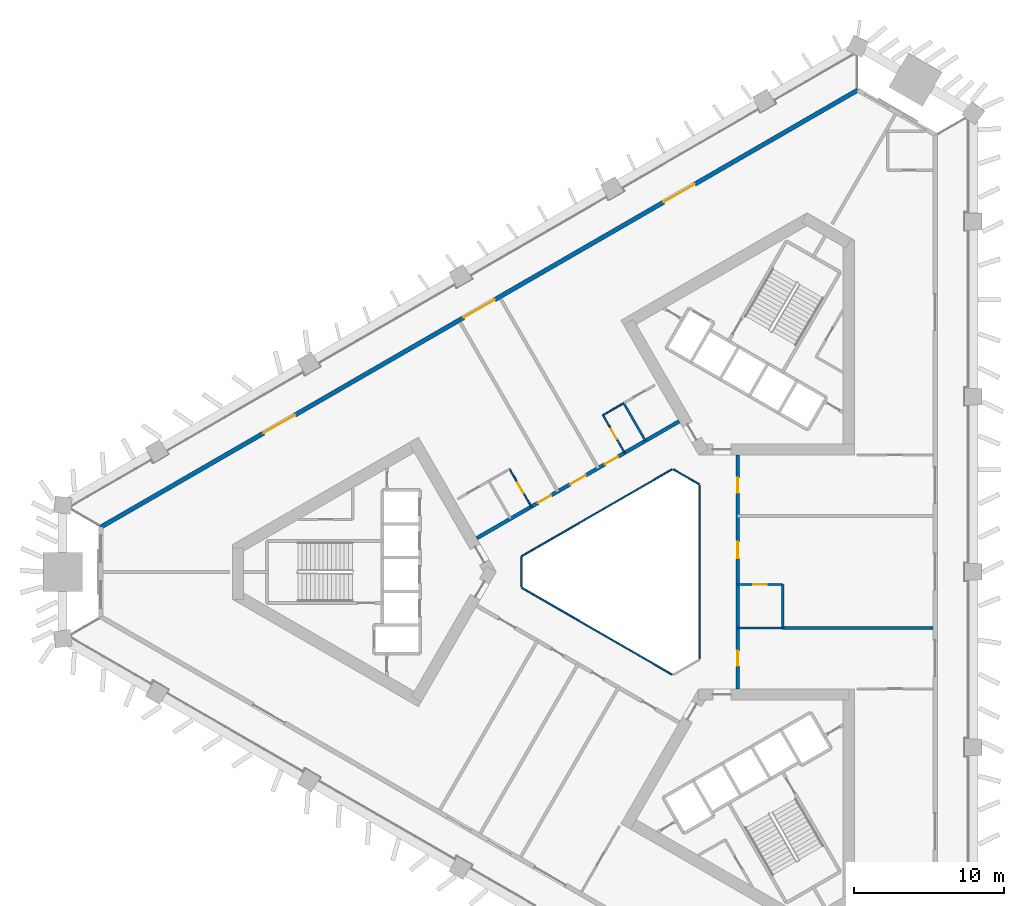
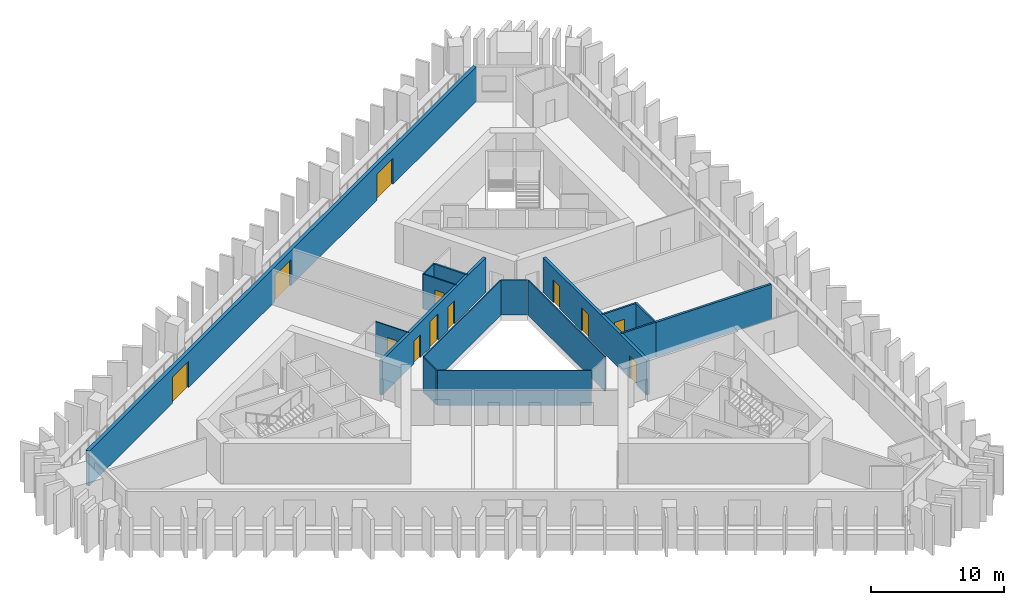
# One storey, part 5 of 11: 16 walls, 12 doors, 12 openings.
"""IFC4 building model written with IfcOpenShell, lengths in metres."""

from ifc_helpers import new_model, si_unit, direction, frame, frame_2d, origin, place, context, subcontext, project, spatial, rectangle, extrude, material, layer, layer_set, type_object, element, fill, save


model = new_model("IFC4")

# Units and contexts
model_context = context("Model", 3, precision=1e-05, world=origin(), true_north=direction((0.0, 1.0)))
body_context = subcontext(model_context, "Body", "Model", "MODEL_VIEW")
ifc_project = project(units=[si_unit("LENGTHUNIT", "METRE"), si_unit("AREAUNIT", "SQUARE_METRE"), si_unit("VOLUMEUNIT", "CUBIC_METRE"), si_unit("PLANEANGLEUNIT", "RADIAN"), si_unit("MASSUNIT", "GRAM", prefix="KILO")], contexts=[model_context])

# Site, building, storey
site_placement = place(None, origin())
site = spatial("IfcSite", under=ifc_project, at=site_placement, CompositionType="ELEMENT")
building_placement = place(site_placement, origin())
building = spatial("IfcBuilding", under=site, at=building_placement, Name="Jabali Bay Hotel Tower and Convention Centre", CompositionType="ELEMENT")
storey_placement = place(building_placement, frame((0.0, 0.0, 90.60009765625)))
storey = spatial("IfcBuildingStorey", under=building, at=storey_placement, Name="L21", CompositionType="ELEMENT", Elevation=90.60009765625)

# Walls
ifc_material_1 = material(Name="Fire-resistant glazing", Category="glass")
ifc_layer_1 = layer(ifc_material_1, 0.10009765625)
ifc_layer_set_1 = layer_set([ifc_layer_1], Name="Fire-resistant glazing")
wall_type_1 = type_object("IfcWallType", Name="Atrium glazed screen 100", PredefinedType="PARTITIONING", material=ifc_layer_set_1)
wall_1_placement = place(storey_placement, frame((79.56005859375, 74.205810546875, 0.0), z_axis=(0.0, 0.0, 1.0), x_axis=(0.0, 1.0, 0.0)))
element("IfcWall", 1, at=wall_1_placement, inside=storey, type_object=wall_type_1, Name="Atrium screen 1 L21", PredefinedType="PARTITIONING", context=body_context, shape_type="SweptSolid", body=[
    extrude(rectangle(XDim=11.58837890625, YDim=0.10009765625, at=frame_2d((5.794189453125, 0.0))), origin(), (0.0, 0.0, 1.0), 3.199951171875),
])
wall_2_placement = place(storey_placement, frame((79.530029296875, 85.84619140625, 0.0), z_axis=(0.0, 0.0, 1.0), x_axis=(-0.866041268327, 0.499972520799, 0.0)))
element("IfcWall", 2, at=wall_2_placement, inside=storey, type_object=wall_type_1, Name="Atrium screen 2 L21", PredefinedType="PARTITIONING", context=body_context, shape_type="SweptSolid", body=[
    extrude(rectangle(XDim=2.0, YDim=0.10009765625, at=frame_2d((1.0, 0.0))), origin(), (0.0, 0.0, 1.0), 3.199951171875),
])
wall_3_placement = place(storey_placement, frame((77.738037109375, 86.84619140625, 0.0), z_axis=(0.0, 0.0, 1.0), x_axis=(-0.866026658274, -0.499997827154, 0.0)))
element("IfcWall", 3, at=wall_3_placement, inside=storey, type_object=wall_type_1, Name="Atrium screen 3 L21", PredefinedType="PARTITIONING", context=body_context, shape_type="SweptSolid", body=[
    extrude(rectangle(XDim=11.58837890625, YDim=0.10009765625, at=frame_2d((5.794189453125, 0.0))), origin(), (0.0, 0.0, 1.0), 3.199951171875),
])
wall_4_placement = place(storey_placement, frame((67.672119140625, 81.0, 0.0), z_axis=(0.0, 0.0, 1.0), x_axis=(0.0, -1.0, 0.0)))
element("IfcWall", 4, at=wall_4_placement, inside=storey, type_object=wall_type_1, Name="Atrium screen 4 L21", PredefinedType="PARTITIONING", context=body_context, shape_type="SweptSolid", body=[
    extrude(rectangle(XDim=2.0, YDim=0.10009765625, at=frame_2d((1.0, 0.0))), origin(), (0.0, 0.0, 1.0), 3.199951171875),
])
wall_5_placement = place(storey_placement, frame((67.7021484375, 78.947998046875, 0.0), z_axis=(0.0, 0.0, 1.0), x_axis=(0.866026658274, -0.499997827154, 0.0)))
element("IfcWall", 5, at=wall_5_placement, inside=storey, type_object=wall_type_1, Name="Atrium screen 5 L21", PredefinedType="PARTITIONING", context=body_context, shape_type="SweptSolid", body=[
    extrude(rectangle(XDim=11.58837890625, YDim=0.10009765625, at=frame_2d((5.794189453125, 0.0))), origin(), (0.0, 0.0, 1.0), 3.199951171875),
])

# Wall, openings, doors
ifc_material_2 = material(Name="Concrete C60", Category="concrete")
ifc_layer_2 = layer(ifc_material_2, 0.25)
ifc_layer_set_2 = layer_set([ifc_layer_2], Name="Concrete C60")
wall_type_2 = type_object("IfcWallType", Name="Corridor wall 250", PredefinedType="SHEAR", material=ifc_layer_set_2)
wall_6_placement = place(storey_placement, frame((82.10009765625, 72.205810546875, 0.0), z_axis=(0.0, 0.0, 1.0), x_axis=(0.0, 1.0, 0.0)))
wall_6 = element("IfcWall", 6, at=wall_6_placement, inside=storey, type_object=wall_type_2, Name="Corridor wall 1 L21", PredefinedType="SHEAR", context=body_context, shape_type="SweptSolid", body=[
    extrude(rectangle(XDim=15.58837890625, YDim=0.25, at=frame_2d((7.794189453125, 0.0))), origin(), (0.0, 0.0, 1.0), 3.199951171875),
])
opening_1_placement = place(wall_6_placement, frame((1.526611328125, 0.0, 0.0)))
opening_1 = element("IfcOpeningElement", 7, at=opening_1_placement, cuts=wall_6, Name="Opening 2101", PredefinedType="OPENING", context=body_context, shape_type="SweptSolid", body=[
    extrude(rectangle(XDim=1.0, YDim=2.10009765625, at=frame_2d((0.5, 1.050048828125))), frame((0.0, 0.135498046875, 0.0), z_axis=(0.0, -1.0, 0.0), x_axis=(1.0, 0.0, 0.0)), (0.0, 0.0, 1.0), 0.27099609375),
])
opening_2_placement = place(wall_6_placement, frame((8.694091796875, 0.0, 0.0)))
opening_2 = element("IfcOpeningElement", 8, at=opening_2_placement, cuts=wall_6, Name="Opening 2105", PredefinedType="OPENING", context=body_context, shape_type="SweptSolid", body=[
    extrude(rectangle(XDim=1.10009765625, YDim=2.10009765625, at=frame_2d((0.550048828125, 1.050048828125))), frame((0.0, 0.135498046875, 0.0), z_axis=(0.0, -1.0, 0.0), x_axis=(1.0, 0.0, 0.0)), (0.0, 0.0, 1.0), 0.27099609375),
])
opening_3_placement = place(wall_6_placement, frame((13.06201171875, 0.0, 0.0)))
opening_3 = element("IfcOpeningElement", 9, at=opening_3_placement, cuts=wall_6, Name="Opening 2106", PredefinedType="OPENING", context=body_context, shape_type="SweptSolid", body=[
    extrude(rectangle(XDim=1.0, YDim=2.10009765625, at=frame_2d((0.5, 1.050048828125))), frame((0.0, 0.135498046875, 0.0), z_axis=(0.0, -1.0, 0.0), x_axis=(1.0, 0.0, 0.0)), (0.0, 0.0, 1.0), 0.27099609375),
])
ifc_material_3 = material(Name="Timber", Category="wood")
door_type_1 = type_object("IfcDoorType", Name="Accessible guest room door 1100 x 2100", OperationType="NOTDEFINED", PredefinedType="NOTDEFINED", material=ifc_material_3)
door_1_placement = place(opening_2_placement, origin())
door_1 = element("IfcDoor", 10, at=door_1_placement, inside=storey, type_object=door_type_1, Name="Door 2105", OperationType="SINGLE_SWING_RIGHT", OverallHeight=2.10009765625, OverallWidth=1.10009765625, PredefinedType="NOTDEFINED", context=body_context, shape_type="SweptSolid", body=[
    extrude(rectangle(XDim=1.10009765625, YDim=2.10009765625, at=frame_2d((0.550048828125, 1.050048828125))), frame((0.0, 0.02490234375, 0.0), z_axis=(0.0, -1.0, 0.0), x_axis=(1.0, 0.0, 0.0)), (0.0, 0.0, 1.0), 0.050048828125),
])
fill(opening_2, door_1)
door_type_2 = type_object("IfcDoorType", Name="Guest room door 1000 x 2100", OperationType="NOTDEFINED", PredefinedType="NOTDEFINED", material=ifc_material_3)
door_2_placement = place(opening_1_placement, origin())
door_2 = element("IfcDoor", 11, at=door_2_placement, inside=storey, type_object=door_type_2, Name="Door 2101", OperationType="SINGLE_SWING_LEFT", OverallHeight=2.10009765625, OverallWidth=1.0, PredefinedType="NOTDEFINED", context=body_context, shape_type="SweptSolid", body=[
    extrude(rectangle(XDim=1.0, YDim=2.10009765625, at=frame_2d((0.5, 1.050048828125))), frame((0.0, 0.02490234375, 0.0), z_axis=(0.0, -1.0, 0.0), x_axis=(1.0, 0.0, 0.0)), (0.0, 0.0, 1.0), 0.050048828125),
])
fill(opening_1, door_2)
door_3_placement = place(opening_3_placement, origin())
door_3 = element("IfcDoor", 12, at=door_3_placement, inside=storey, type_object=door_type_2, Name="Door 2106", OperationType="SINGLE_SWING_RIGHT", OverallHeight=2.10009765625, OverallWidth=1.0, PredefinedType="NOTDEFINED", context=body_context, shape_type="SweptSolid", body=[
    extrude(rectangle(XDim=1.0, YDim=2.10009765625, at=frame_2d((0.5, 1.050048828125))), frame((0.0, 0.02490234375, 0.0), z_axis=(0.0, -1.0, 0.0), x_axis=(1.0, 0.0, 0.0)), (0.0, 0.0, 1.0), 0.050048828125),
])
fill(opening_3, door_3)

wall_7_placement = place(storey_placement, frame((78.199951171875, 90.0458984375, 0.0), z_axis=(0.0, 0.0, 1.0), x_axis=(-0.866026492143, -0.499998114903, 0.0)))
wall_7 = element("IfcWall", 13, at=wall_7_placement, inside=storey, type_object=wall_type_2, Name="Corridor wall 2 L21", PredefinedType="SHEAR", context=body_context, shape_type="SweptSolid", body=[
    extrude(rectangle(XDim=15.58837890625, YDim=0.25, at=frame_2d((7.794189453125, 0.0))), origin(), (0.0, 0.0, 1.0), 3.199951171875),
])
opening_4_placement = place(wall_7_placement, frame((4.7177734375, 0.0, 0.0)))
opening_4 = element("IfcOpeningElement", 14, at=opening_4_placement, cuts=wall_7, Name="Opening 2111", PredefinedType="OPENING", context=body_context, shape_type="SweptSolid", body=[
    extrude(rectangle(XDim=1.0, YDim=2.10009765625, at=frame_2d((0.5, 1.050048828125))), frame((0.0, 0.135498046875, 0.0), z_axis=(0.0, -1.0, 0.0), x_axis=(1.0, 0.0, 0.0)), (0.0, 0.0, 1.0), 0.27099609375),
])
opening_5_placement = place(wall_7_placement, frame((7.194091796875, 0.0, 0.0)))
opening_5 = element("IfcOpeningElement", 15, at=opening_5_placement, cuts=wall_7, Name="Opening 2112", PredefinedType="OPENING", context=body_context, shape_type="SweptSolid", body=[
    extrude(rectangle(XDim=1.199951171875, YDim=2.39990234375, at=frame_2d((0.60009765625, 1.199951171875))), frame((0.0, 0.135498046875, 0.0), z_axis=(0.0, -1.0, 0.0), x_axis=(1.0, 0.0, 0.0)), (0.0, 0.0, 1.0), 0.27099609375),
])
opening_6_placement = place(wall_7_placement, frame((9.870849609375, 0.0, 0.0)))
opening_6 = element("IfcOpeningElement", 16, at=opening_6_placement, cuts=wall_7, Name="Opening 2115", PredefinedType="OPENING", context=body_context, shape_type="SweptSolid", body=[
    extrude(rectangle(XDim=1.0, YDim=2.10009765625, at=frame_2d((0.5, 1.050048828125))), frame((0.0, 0.135498046875, 0.0), z_axis=(0.0, -1.0, 0.0), x_axis=(1.0, 0.0, 0.0)), (0.0, 0.0, 1.0), 0.27099609375),
])
door_4_placement = place(opening_4_placement, origin())
door_4 = element("IfcDoor", 17, at=door_4_placement, inside=storey, type_object=door_type_2, Name="Door 2111", OperationType="SINGLE_SWING_LEFT", OverallHeight=2.10009765625, OverallWidth=1.0, PredefinedType="NOTDEFINED", context=body_context, shape_type="SweptSolid", body=[
    extrude(rectangle(XDim=1.0, YDim=2.10009765625, at=frame_2d((0.5, 1.050048828125))), frame((0.0, 0.02490234375, 0.0), z_axis=(0.0, -1.0, 0.0), x_axis=(1.0, 0.0, 0.0)), (0.0, 0.0, 1.0), 0.050048828125),
])
fill(opening_4, door_4)
door_5_placement = place(opening_6_placement, origin())
door_5 = element("IfcDoor", 18, at=door_5_placement, inside=storey, type_object=door_type_2, Name="Door 2115", OperationType="SINGLE_SWING_RIGHT", OverallHeight=2.10009765625, OverallWidth=1.0, PredefinedType="NOTDEFINED", context=body_context, shape_type="SweptSolid", body=[
    extrude(rectangle(XDim=1.0, YDim=2.10009765625, at=frame_2d((0.5, 1.050048828125))), frame((0.0, 0.02490234375, 0.0), z_axis=(0.0, -1.0, 0.0), x_axis=(1.0, 0.0, 0.0)), (0.0, 0.0, 1.0), 0.050048828125),
])
fill(opening_6, door_5)
door_type_3 = type_object("IfcDoorType", Name="Public room door 1200 x 2400", OperationType="NOTDEFINED", PredefinedType="NOTDEFINED", material=ifc_material_3)
door_6_placement = place(opening_5_placement, origin())
door_6 = element("IfcDoor", 19, at=door_6_placement, inside=storey, type_object=door_type_3, Name="Door 2112", OperationType="SINGLE_SWING_RIGHT", OverallHeight=2.39990234375, OverallWidth=1.199951171875, PredefinedType="NOTDEFINED", context=body_context, shape_type="SweptSolid", body=[
    extrude(rectangle(XDim=1.199951171875, YDim=2.39990234375, at=frame_2d((0.60009765625, 1.199951171875))), frame((0.0, 0.02490234375, 0.0), z_axis=(0.0, -1.0, 0.0), x_axis=(1.0, 0.0, 0.0)), (0.0, 0.0, 1.0), 0.050048828125),
])
fill(opening_5, door_6)

ifc_material_4 = material(Name="Concrete C40", Category="concrete")
ifc_layer_3 = layer(ifc_material_4, 0.300048828125)
ifc_layer_set_3 = layer_set([ifc_layer_3], Name="Concrete C40")
wall_type_3 = type_object("IfcWallType", Name="External wall 300", PredefinedType="SOLIDWALL", material=ifc_layer_set_3)
wall_8_placement = place(storey_placement, frame((39.614013671875, 82.983154296875, 0.0), z_axis=(0.0, 0.0, 1.0), x_axis=(0.866024236478, 0.500002021829, 0.0)))
wall_8 = element("IfcWall", 20, at=wall_8_placement, inside=storey, type_object=wall_type_3, Name="External wall north-west face L21", PredefinedType="SOLIDWALL", context=body_context, shape_type="SweptSolid", body=[
    extrude(rectangle(XDim=58.307373046875, YDim=0.300048828125, at=frame_2d((29.15380859375, 0.0))), origin(), (0.0, 0.0, 1.0), 3.199951171875),
])
opening_7_placement = place(wall_8_placement, frame((43.353271484375, 0.0, 0.0)))
opening_7 = element("IfcOpeningElement", 21, at=opening_7_placement, cuts=wall_8, Name="Opening SD1", PredefinedType="OPENING", context=body_context, shape_type="SweptSolid", body=[
    extrude(rectangle(XDim=2.39990234375, YDim=2.39990234375, at=frame_2d((1.199951171875, 1.199951171875))), frame((0.0, 0.16064453125, 0.0), z_axis=(0.0, -1.0, 0.0), x_axis=(1.0, 0.0, 0.0)), (0.0, 0.0, 1.0), 0.321044921875),
])
opening_8_placement = place(wall_8_placement, frame((12.55419921875, 0.0, 0.0)))
opening_8 = element("IfcOpeningElement", 22, at=opening_8_placement, cuts=wall_8, Name="Opening SD1", PredefinedType="OPENING", context=body_context, shape_type="SweptSolid", body=[
    extrude(rectangle(XDim=2.39990234375, YDim=2.39990234375, at=frame_2d((1.199951171875, 1.199951171875))), frame((0.0, 0.16064453125, 0.0), z_axis=(0.0, -1.0, 0.0), x_axis=(1.0, 0.0, 0.0)), (0.0, 0.0, 1.0), 0.321044921875),
])
opening_9_placement = place(wall_8_placement, frame((27.95361328125, 0.0, 0.0)))
opening_9 = element("IfcOpeningElement", 23, at=opening_9_placement, cuts=wall_8, Name="Opening SD1", PredefinedType="OPENING", context=body_context, shape_type="SweptSolid", body=[
    extrude(rectangle(XDim=2.39990234375, YDim=2.39990234375, at=frame_2d((1.199951171875, 1.199951171875))), frame((0.0, 0.16064453125, 0.0), z_axis=(0.0, -1.0, 0.0), x_axis=(1.0, 0.0, 0.0)), (0.0, 0.0, 1.0), 0.321044921875),
])
ifc_material_5 = material(Name="Glass", Category="glass")
door_type_4 = type_object("IfcDoorType", Name="Loggia sliding door 2400 x 2400", OperationType="NOTDEFINED", PredefinedType="NOTDEFINED", material=ifc_material_5)
door_7_placement = place(opening_7_placement, origin())
door_7 = element("IfcDoor", 24, at=door_7_placement, inside=storey, type_object=door_type_4, Name="Loggia sliding door 2104", OperationType="SLIDING_TO_LEFT", OverallHeight=2.39990234375, OverallWidth=2.39990234375, PredefinedType="NOTDEFINED", context=body_context, shape_type="SweptSolid", body=[
    extrude(rectangle(XDim=2.39990234375, YDim=2.39990234375, at=frame_2d((1.199951171875, 1.199951171875))), frame((0.0, 0.02490234375, 0.0), z_axis=(0.0, -1.0, 0.0), x_axis=(1.0, 0.0, 0.0)), (0.0, 0.0, 1.0), 0.050048828125),
])
fill(opening_7, door_7)
door_8_placement = place(opening_8_placement, origin())
door_8 = element("IfcDoor", 25, at=door_8_placement, inside=storey, type_object=door_type_4, Name="Loggia sliding door 2105", OperationType="SLIDING_TO_RIGHT", OverallHeight=2.39990234375, OverallWidth=2.39990234375, PredefinedType="NOTDEFINED", context=body_context, shape_type="SweptSolid", body=[
    extrude(rectangle(XDim=2.39990234375, YDim=2.39990234375, at=frame_2d((1.199951171875, 1.199951171875))), frame((0.0, 0.02490234375, 0.0), z_axis=(0.0, -1.0, 0.0), x_axis=(1.0, 0.0, 0.0)), (0.0, 0.0, 1.0), 0.050048828125),
])
fill(opening_8, door_8)
door_9_placement = place(opening_9_placement, origin())
door_9 = element("IfcDoor", 26, at=door_9_placement, inside=storey, type_object=door_type_4, Name="Loggia sliding door", OperationType="SLIDING_TO_LEFT", OverallHeight=2.39990234375, OverallWidth=2.39990234375, PredefinedType="NOTDEFINED", context=body_context, shape_type="SweptSolid", body=[
    extrude(rectangle(XDim=2.39990234375, YDim=2.39990234375, at=frame_2d((1.199951171875, 1.199951171875))), frame((0.0, 0.02490234375, 0.0), z_axis=(0.0, -1.0, 0.0), x_axis=(1.0, 0.0, 0.0)), (0.0, 0.0, 1.0), 0.050048828125),
])
fill(opening_9, door_9)

# Wall, opening, door
ifc_material_6 = material(Name="Plasterboard on steel stud", Category="steel")
ifc_layer_4 = layer(ifc_material_6, 0.10009765625)
ifc_layer_set_4 = layer_set([ifc_layer_4], Name="Plasterboard on steel stud")
wall_type_4 = type_object("IfcWallType", Name="Partition 100 unit", PredefinedType="PARTITIONING", material=ifc_layer_set_4)
wall_9_placement = place(storey_placement, frame((74.562744140625, 87.94580078125, 0.0), z_axis=(0.0, 0.0, 1.0), x_axis=(-0.499987231761, 0.866032775405, 0.0)))
wall_9 = element("IfcWall", 27, at=wall_9_placement, inside=storey, type_object=wall_type_4, Name="Partition P02 L21 017", PredefinedType="PARTITIONING", context=body_context, shape_type="SweptSolid", body=[
    extrude(rectangle(XDim=2.89990234375, YDim=0.10009765625, at=frame_2d((1.449951171875, 0.0))), origin(), (0.0, 0.0, 1.0), 3.199951171875),
])
opening_10_placement = place(wall_9_placement, frame((1.050048828125, 0.0, 0.0)))
opening_10 = element("IfcOpeningElement", 28, at=opening_10_placement, cuts=wall_9, Name="Opening 2110", PredefinedType="OPENING", context=body_context, shape_type="SweptSolid", body=[
    extrude(rectangle(XDim=0.800048828125, YDim=2.10009765625, at=frame_2d((0.39990234375, 1.050048828125))), frame((0.0, 0.060546875, 0.0), z_axis=(0.0, -1.0, 0.0), x_axis=(1.0, 0.0, 0.0)), (0.0, 0.0, 1.0), 0.12109375),
])
door_type_5 = type_object("IfcDoorType", Name="Dressing room door 800 x 2100", OperationType="NOTDEFINED", PredefinedType="NOTDEFINED", material=ifc_material_3)
door_10_placement = place(opening_10_placement, origin())
door_10 = element("IfcDoor", 29, at=door_10_placement, inside=storey, type_object=door_type_5, Name="Door 2110", OperationType="SINGLE_SWING_RIGHT", OverallHeight=2.10009765625, OverallWidth=0.800048828125, PredefinedType="NOTDEFINED", context=body_context, shape_type="SweptSolid", body=[
    extrude(rectangle(XDim=0.800048828125, YDim=2.10009765625, at=frame_2d((0.39990234375, 1.050048828125))), frame((0.0, 0.02490234375, 0.0), z_axis=(0.0, -1.0, 0.0), x_axis=(1.0, 0.0, 0.0)), (0.0, 0.0, 1.0), 0.050048828125),
])
fill(opening_10, door_10)

# Wall
wall_10_placement = place(storey_placement, frame((73.11279296875, 90.457275390625, 0.0), z_axis=(0.0, 0.0, 1.0), x_axis=(0.865989903783, 0.500061482766, 0.0)))
element("IfcWall", 30, at=wall_10_placement, inside=storey, type_object=wall_type_4, Name="Partition P02 L21 018", PredefinedType="PARTITIONING", context=body_context, shape_type="SweptSolid", body=[
    extrude(rectangle(XDim=1.599853515625, YDim=0.10009765625, at=frame_2d((0.7998046875, 0.0))), origin(), (0.0, 0.0, 1.0), 3.199951171875),
])

# Wall, opening, door
wall_11_placement = place(storey_placement, frame((66.88720703125, 86.863037109375, 0.0), z_axis=(0.0, 0.0, 1.0), x_axis=(0.50005036918, -0.865996321171, 0.0)))
wall_11 = element("IfcWall", 31, at=wall_11_placement, inside=storey, type_object=wall_type_4, Name="Partition P02 L21 024", PredefinedType="PARTITIONING", context=body_context, shape_type="SweptSolid", body=[
    extrude(rectangle(XDim=2.900146484375, YDim=0.10009765625, at=frame_2d((1.4501953125, 0.0))), origin(), (0.0, 0.0, 1.0), 3.199951171875),
])
opening_11_placement = place(wall_11_placement, frame((1.050048828125, 0.0, 0.0)))
opening_11 = element("IfcOpeningElement", 32, at=opening_11_placement, cuts=wall_11, Name="Opening 2114", PredefinedType="OPENING", context=body_context, shape_type="SweptSolid", body=[
    extrude(rectangle(XDim=0.800048828125, YDim=2.10009765625, at=frame_2d((0.39990234375, 1.050048828125))), frame((0.0, 0.060546875, 0.0), z_axis=(0.0, -1.0, 0.0), x_axis=(1.0, 0.0, 0.0)), (0.0, 0.0, 1.0), 0.12109375),
])
door_11_placement = place(opening_11_placement, origin())
door_11 = element("IfcDoor", 33, at=door_11_placement, inside=storey, type_object=door_type_5, Name="Door 2114", OperationType="SINGLE_SWING_RIGHT", OverallHeight=2.10009765625, OverallWidth=0.800048828125, PredefinedType="NOTDEFINED", context=body_context, shape_type="SweptSolid", body=[
    extrude(rectangle(XDim=0.800048828125, YDim=2.10009765625, at=frame_2d((0.39990234375, 1.050048828125))), frame((0.0, 0.02490234375, 0.0), z_axis=(0.0, -1.0, 0.0), x_axis=(1.0, 0.0, 0.0)), (0.0, 0.0, 1.0), 0.050048828125),
])
fill(opening_11, door_11)

# Wall
ifc_layer_5 = layer(ifc_material_6, 0.14990234375)
ifc_layer_set_5 = layer_set([ifc_layer_5], Name="Plasterboard on steel stud")
wall_type_5 = type_object("IfcWallType", Name="Partition 150 wet", PredefinedType="PARTITIONING", material=ifc_layer_set_5)
wall_12_placement = place(storey_placement, frame((85.10009765625, 76.2587890625, 0.0), z_axis=(0.0, 0.0, 1.0), x_axis=(-1.0, 0.0, 0.0)))
element("IfcWall", 34, at=wall_12_placement, inside=storey, type_object=wall_type_5, Name="Partition P03 L21 003", PredefinedType="PARTITIONING", context=body_context, shape_type="SweptSolid", body=[
    extrude(rectangle(XDim=3.0, YDim=0.14990234375, at=frame_2d((1.5, 0.0))), origin(), (0.0, 0.0, 1.0), 3.199951171875),
])

# Wall, opening, door
wall_13_placement = place(storey_placement, frame((82.10009765625, 79.15869140625, 0.0), z_axis=(0.0, 0.0, 1.0), x_axis=(1.0, 0.0, 0.0)))
wall_13 = element("IfcWall", 35, at=wall_13_placement, inside=storey, type_object=wall_type_5, Name="Partition P03 L21 008", PredefinedType="PARTITIONING", context=body_context, shape_type="SweptSolid", body=[
    extrude(rectangle(XDim=3.0, YDim=0.14990234375, at=frame_2d((1.5, 0.0))), origin(), (0.0, 0.0, 1.0), 3.199951171875),
])
opening_12_placement = place(wall_13_placement, frame((1.050048828125, 0.0, 0.0)))
opening_12 = element("IfcOpeningElement", 36, at=opening_12_placement, cuts=wall_13, Name="Opening 2104", PredefinedType="OPENING", context=body_context, shape_type="SweptSolid", body=[
    extrude(rectangle(XDim=0.89990234375, YDim=2.10009765625, at=frame_2d((0.449951171875, 1.050048828125))), frame((0.0, 0.08544921875, 0.0), z_axis=(0.0, -1.0, 0.0), x_axis=(1.0, 0.0, 0.0)), (0.0, 0.0, 1.0), 0.1708984375),
])
door_type_6 = type_object("IfcDoorType", Name="Accessible en-suite door 900 x 2100", OperationType="NOTDEFINED", PredefinedType="NOTDEFINED", material=ifc_material_3)
door_12_placement = place(opening_12_placement, origin())
door_12 = element("IfcDoor", 37, at=door_12_placement, inside=storey, type_object=door_type_6, Name="Door 2104", OperationType="SINGLE_SWING_LEFT", OverallHeight=2.10009765625, OverallWidth=0.89990234375, PredefinedType="NOTDEFINED", context=body_context, shape_type="SweptSolid", body=[
    extrude(rectangle(XDim=0.89990234375, YDim=2.10009765625, at=frame_2d((0.449951171875, 1.050048828125))), frame((0.0, 0.02490234375, 0.0), z_axis=(0.0, -1.0, 0.0), x_axis=(1.0, 0.0, 0.0)), (0.0, 0.0, 1.0), 0.050048828125),
])
fill(opening_12, door_12)

# Walls
for number, where, z_axis, x_axis, name in (
    (38, (85.10009765625, 79.15869140625, 0.0), (0.0, 0.0, 1.0), (0.0, -1.0, 0.0), "Partition P03 L21 009"),
    (39, (74.498291015625, 91.25732421875, 0.0), (0.0, 0.0, 1.0), (0.499987231761, -0.866032775405, 0.0), "Partition P03 L21 020"),
):
    element("IfcWall", number, at=place(storey_placement, frame(where, z_axis=z_axis, x_axis=x_axis)), inside=storey, type_object=wall_type_5, Name=name, PredefinedType="PARTITIONING", context=body_context, shape_type="SweptSolid", body=[
        extrude(rectangle(XDim=2.89990234375, YDim=0.14990234375, at=frame_2d((1.449951171875, 0.0))), origin(), (0.0, 0.0, 1.0), 3.199951171875),
    ])
ifc_layer_6 = layer(ifc_material_6, 0.199951171875)
ifc_layer_set_6 = layer_set([ifc_layer_6], Name="Plasterboard on steel stud")
wall_type_6 = type_object("IfcWallType", Name="Partition 200 party", PredefinedType="PARTITIONING", material=ifc_layer_set_6)
wall_14_placement = place(storey_placement, frame((95.12744140625, 76.2587890625, 0.0), z_axis=(0.0, 0.0, 1.0), x_axis=(-1.0, 0.0, 0.0)))
element("IfcWall", 40, at=wall_14_placement, inside=storey, type_object=wall_type_6, Name="Partition P01 L21 002", PredefinedType="PARTITIONING", context=body_context, shape_type="SweptSolid", body=[
    extrude(rectangle(XDim=10.02734375, YDim=0.199951171875, at=frame_2d((5.013671875, 0.0))), origin(), (0.0, 0.0, 1.0), 3.199951171875),
])

save(model, "model.ifc")
